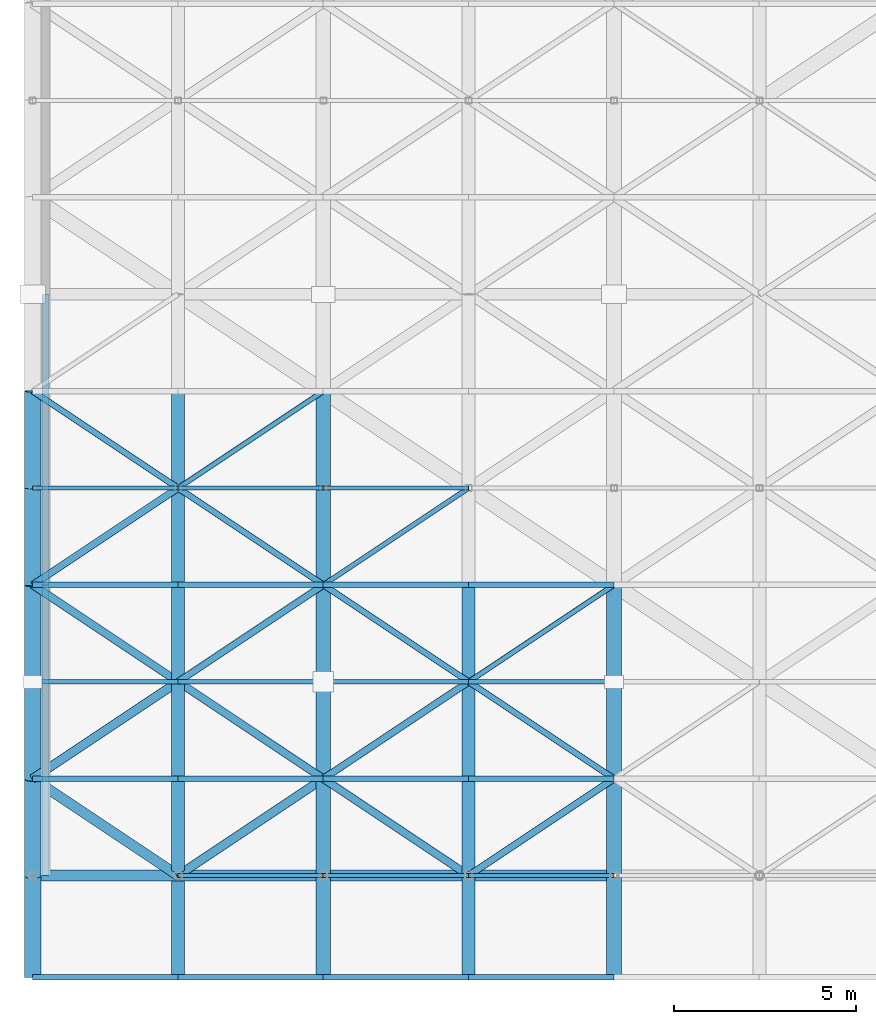
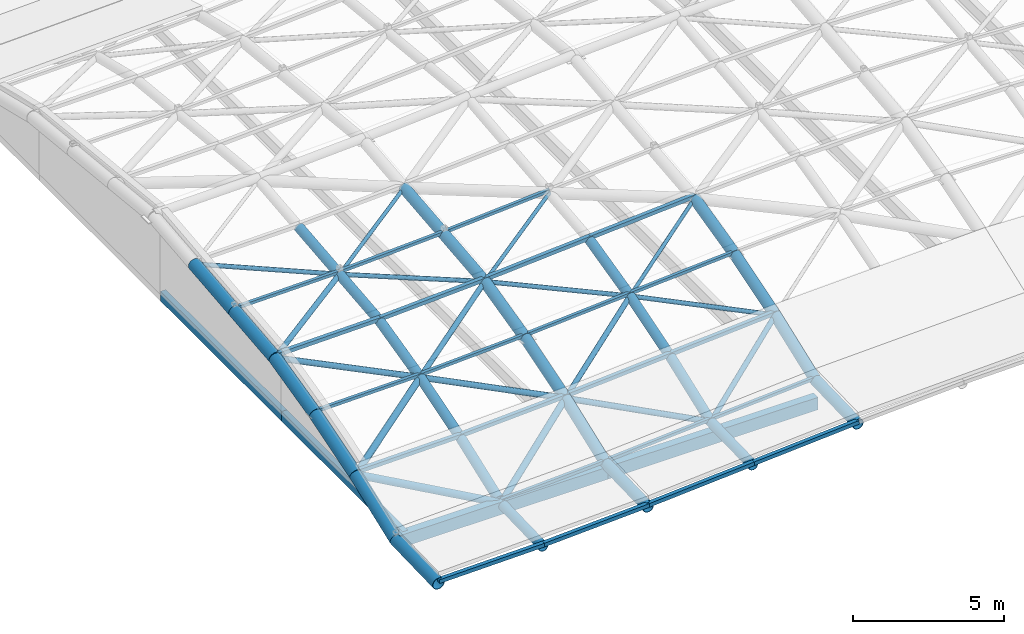
# One storey, part 1 of 20: 39 members, 30 beams.
"""IFC4 building model written with IfcOpenShell, lengths in metres."""

from ifc_helpers import new_model, si_unit, direction, frame, origin, origin_2d, place, context, subcontext, project, spatial, hollow_rectangle, hollow_circle, extrude, material, material_profile, profile_set, type_object, element, save


model = new_model("IFC4")

# Units and contexts
model_context = context("Model", 3, precision=1e-05, world=origin(), true_north=direction((0.0, 1.0)))
body_context = subcontext(model_context, "Body", "Model", "MODEL_VIEW")
ifc_project = project(units=[si_unit("LENGTHUNIT", "METRE"), si_unit("AREAUNIT", "SQUARE_METRE"), si_unit("VOLUMEUNIT", "CUBIC_METRE"), si_unit("PLANEANGLEUNIT", "RADIAN"), si_unit("MASSUNIT", "GRAM", prefix="KILO")], contexts=[model_context])

# Site, building, storey
site_placement = place(None, origin())
site = spatial("IfcSite", under=ifc_project, at=site_placement, CompositionType="ELEMENT")
building_placement = place(site_placement, origin())
building = spatial("IfcBuilding", under=site, at=building_placement, Name="Tenunan Teduh Sports Hall", CompositionType="ELEMENT")
storey_placement = place(building_placement, frame((0.0, 0.0, 23.39990234375)))
storey = spatial("IfcBuildingStorey", under=building, at=storey_placement, Name="RF", CompositionType="ELEMENT", Elevation=23.39990234375)

# Beams
ifc_material_1 = material(Name="Steel S355", Category="steel")
ifc_material_profile_1 = material_profile(ifc_material_1, hollow_circle(Radius=0.177734375, WallThickness=0.012451171875, at=origin_2d()), Name="CHS 355.6x12.5")
ifc_profile_set_1 = profile_set([ifc_material_profile_1], Name="Steel S355")
beam_type_1 = type_object("IfcBeamType", Name="GSB-CHS356", PredefinedType="BEAM", material=ifc_profile_set_1)
beam_1_placement = place(storey_placement, frame((10.0, 11.199951171875, -0.3837890625), z_axis=(0.0, 0.999608075745, 0.027994551361), x_axis=(-1.0, 0.0, 0.0)))
element("IfcBeam", 1, at=beam_1_placement, inside=storey, type_object=beam_type_1, Name="Gridshell Vault Arch BM-GR-04-RF-0281", PredefinedType="BEAM", context=body_context, shape_type="SweptSolid", body=[
    extrude(hollow_circle(Radius=0.177734375, WallThickness=0.012451171875, at=origin_2d()), origin(), (0.0, 0.0, 1.0), 2.651123046875),
])
beam_2_placement = place(storey_placement, frame((10.0, 14.14990234375, -0.2431640625), z_axis=(0.0, 0.936146189375, 0.351611023888), x_axis=(-1.0, 0.0, 0.0)))
element("IfcBeam", 2, at=beam_2_placement, inside=storey, type_object=beam_type_1, Name="Gridshell Vault Arch BM-GR-04-RF-0282", PredefinedType="BEAM", context=body_context, shape_type="SweptSolid", body=[
    extrude(hollow_circle(Radius=0.177734375, WallThickness=0.012451171875, at=origin_2d()), origin(), (0.0, 0.0, 1.0), 2.6884765625),
])
beam_3_placement = place(storey_placement, frame((10.0, 16.666748046875, 0.7021484375), z_axis=(0.0, 0.955399948598, 0.295314981365), x_axis=(-1.0, 0.0, 0.0)))
element("IfcBeam", 3, at=beam_3_placement, inside=storey, type_object=beam_type_1, Name="Gridshell Vault Arch BM-GR-04-RF-0283", PredefinedType="BEAM", context=body_context, shape_type="SweptSolid", body=[
    extrude(hollow_circle(Radius=0.177734375, WallThickness=0.012451171875, at=origin_2d()), origin(), (0.0, 0.0, 1.0), 2.791015625),
])
beam_4_placement = place(storey_placement, frame((10.0, 19.333251953125, 1.5263671875), z_axis=(0.0, 0.972012875749, 0.234927583263), x_axis=(-1.0, 0.0, 0.0)))
element("IfcBeam", 4, at=beam_4_placement, inside=storey, type_object=beam_type_1, Name="Gridshell Vault Arch BM-GR-04-RF-0284", PredefinedType="BEAM", context=body_context, shape_type="SweptSolid", body=[
    extrude(hollow_circle(Radius=0.177734375, WallThickness=0.012451171875, at=origin_2d()), origin(), (0.0, 0.0, 1.0), 2.74365234375),
])
beam_5_placement = place(storey_placement, frame((10.0, 22.0, 2.1708984375), z_axis=(0.0, 0.994784282387, 0.102001134878), x_axis=(-1.0, 0.0, 0.0)))
element("IfcBeam", 5, at=beam_5_placement, inside=storey, type_object=beam_type_1, Name="Gridshell Vault Arch BM-GR-04-RF-0285", PredefinedType="BEAM", context=body_context, shape_type="SweptSolid", body=[
    extrude(hollow_circle(Radius=0.177734375, WallThickness=0.012451171875, at=origin_2d()), origin(), (0.0, 0.0, 1.0), 2.6806640625),
])
beam_6_placement = place(storey_placement, frame((10.0, 24.666748046875, 2.4443359375), z_axis=(0.0, 0.994783334719, 0.102010376752), x_axis=(-1.0, 0.0, 0.0)))
element("IfcBeam", 6, at=beam_6_placement, inside=storey, type_object=beam_type_1, Name="Gridshell Vault Arch BM-GR-04-RF-0286", PredefinedType="BEAM", context=body_context, shape_type="SweptSolid", body=[
    extrude(hollow_circle(Radius=0.177734375, WallThickness=0.012451171875, at=origin_2d()), origin(), (0.0, 0.0, 1.0), 2.680419921875),
])
beam_7_placement = place(storey_placement, frame((18.0, 11.199951171875, 0.0927734375), z_axis=(0.0, 0.999610985869, 0.027890445155), x_axis=(-1.0, 0.0, 0.0)))
element("IfcBeam", 7, at=beam_7_placement, inside=storey, type_object=beam_type_1, Name="Gridshell Vault Arch BM-GR-04-RF-0309", PredefinedType="BEAM", context=body_context, shape_type="SweptSolid", body=[
    extrude(hollow_circle(Radius=0.177734375, WallThickness=0.012451171875, at=origin_2d()), origin(), (0.0, 0.0, 1.0), 2.801025390625),
])
beam_8_placement = place(storey_placement, frame((18.0, 14.0, 0.1708984375), z_axis=(0.0, 0.935428675248, 0.353515478479), x_axis=(-1.0, 0.0, 0.0)))
element("IfcBeam", 8, at=beam_8_placement, inside=storey, type_object=beam_type_1, Name="Gridshell Vault Arch BM-GR-04-RF-0310", PredefinedType="BEAM", context=body_context, shape_type="SweptSolid", body=[
    extrude(hollow_circle(Radius=0.177734375, WallThickness=0.012451171875, at=origin_2d()), origin(), (0.0, 0.0, 1.0), 2.850830078125),
])
beam_9_placement = place(storey_placement, frame((18.0, 16.666748046875, 1.1787109375), z_axis=(0.0, 0.955399948598, 0.295314981365), x_axis=(-1.0, 0.0, 0.0)))
element("IfcBeam", 9, at=beam_9_placement, inside=storey, type_object=beam_type_1, Name="Gridshell Vault Arch BM-GR-04-RF-0311", PredefinedType="BEAM", context=body_context, shape_type="SweptSolid", body=[
    extrude(hollow_circle(Radius=0.177734375, WallThickness=0.012451171875, at=origin_2d()), origin(), (0.0, 0.0, 1.0), 2.791015625),
])
beam_10_placement = place(storey_placement, frame((18.0, 19.333251953125, 2.0029296875), z_axis=(0.0, 0.972012875749, 0.234927583263), x_axis=(-1.0, 0.0, 0.0)))
element("IfcBeam", 10, at=beam_10_placement, inside=storey, type_object=beam_type_1, Name="Gridshell Vault Arch BM-GR-04-RF-0312", PredefinedType="BEAM", context=body_context, shape_type="SweptSolid", body=[
    extrude(hollow_circle(Radius=0.177734375, WallThickness=0.012451171875, at=origin_2d()), origin(), (0.0, 0.0, 1.0), 2.74365234375),
])
ifc_material_2 = material(Name="Steel S355", Category="steel")
ifc_material_profile_2 = material_profile(ifc_material_2, hollow_circle(Radius=0.203125, WallThickness=0.01611328125, at=origin_2d()), Name="CHS 406.4x16.0")
ifc_profile_set_2 = profile_set([ifc_material_profile_2], Name="Steel S355")
beam_type_2 = type_object("IfcBeamType", Name="GSB-CHS406", PredefinedType="BEAM", material=ifc_profile_set_2)
beam_11_placement = place(storey_placement, frame((14.0, 11.199951171875, -0.1845703125), z_axis=(0.0, 0.999610985869, 0.027890445155), x_axis=(-1.0, 0.0, 0.0)))
element("IfcBeam", 11, at=beam_11_placement, inside=storey, type_object=beam_type_2, Name="Gridshell Vault Arch BM-GA-02-RF-0295", PredefinedType="BEAM", context=body_context, shape_type="SweptSolid", body=[
    extrude(hollow_circle(Radius=0.203125, WallThickness=0.01611328125, at=origin_2d()), origin(), (0.0, 0.0, 1.0), 2.801025390625),
])
beam_12_placement = place(storey_placement, frame((14.0, 14.0, -0.1064453125), z_axis=(0.0, 0.935428675248, 0.353515478479), x_axis=(-1.0, 0.0, 0.0)))
element("IfcBeam", 12, at=beam_12_placement, inside=storey, type_object=beam_type_2, Name="Gridshell Vault Arch BM-GA-02-RF-0296", PredefinedType="BEAM", context=body_context, shape_type="SweptSolid", body=[
    extrude(hollow_circle(Radius=0.203125, WallThickness=0.01611328125, at=origin_2d()), origin(), (0.0, 0.0, 1.0), 2.850830078125),
])
beam_13_placement = place(storey_placement, frame((14.0, 16.666748046875, 0.9013671875), z_axis=(0.0, 0.955399948598, 0.295314981365), x_axis=(-1.0, 0.0, 0.0)))
element("IfcBeam", 13, at=beam_13_placement, inside=storey, type_object=beam_type_2, Name="Gridshell Vault Arch BM-GA-02-RF-0297", PredefinedType="BEAM", context=body_context, shape_type="SweptSolid", body=[
    extrude(hollow_circle(Radius=0.203125, WallThickness=0.01611328125, at=origin_2d()), origin(), (0.0, 0.0, 1.0), 2.791015625),
])
beam_14_placement = place(storey_placement, frame((14.0, 19.333251953125, 1.7255859375), z_axis=(0.0, 0.972012875749, 0.234927583263), x_axis=(-1.0, 0.0, 0.0)))
element("IfcBeam", 14, at=beam_14_placement, inside=storey, type_object=beam_type_2, Name="Gridshell Vault Arch BM-GA-02-RF-0298", PredefinedType="BEAM", context=body_context, shape_type="SweptSolid", body=[
    extrude(hollow_circle(Radius=0.203125, WallThickness=0.01611328125, at=origin_2d()), origin(), (0.0, 0.0, 1.0), 2.74365234375),
])
beam_15_placement = place(storey_placement, frame((14.0, 22.0, 2.3701171875), z_axis=(0.0, 0.994784282387, 0.102001134878), x_axis=(-1.0, 0.0, 0.0)))
element("IfcBeam", 15, at=beam_15_placement, inside=storey, type_object=beam_type_2, Name="Gridshell Vault Arch BM-GA-02-RF-0299", PredefinedType="BEAM", context=body_context, shape_type="SweptSolid", body=[
    extrude(hollow_circle(Radius=0.203125, WallThickness=0.01611328125, at=origin_2d()), origin(), (0.0, 0.0, 1.0), 2.6806640625),
])
beam_16_placement = place(storey_placement, frame((14.0, 24.666748046875, 2.6435546875), z_axis=(0.0, 0.994783334719, 0.102010376752), x_axis=(-1.0, 0.0, 0.0)))
element("IfcBeam", 16, at=beam_16_placement, inside=storey, type_object=beam_type_2, Name="Gridshell Vault Arch BM-GA-02-RF-0300", PredefinedType="BEAM", context=body_context, shape_type="SweptSolid", body=[
    extrude(hollow_circle(Radius=0.203125, WallThickness=0.01611328125, at=origin_2d()), origin(), (0.0, 0.0, 1.0), 2.680419921875),
])
beam_17_placement = place(storey_placement, frame((22.0, 11.199951171875, 0.3662109375), z_axis=(0.0, 0.999610985869, 0.027890445155), x_axis=(-1.0, 0.0, 0.0)))
element("IfcBeam", 17, at=beam_17_placement, inside=storey, type_object=beam_type_2, Name="Gridshell Vault Arch BM-GA-02-RF-0323", PredefinedType="BEAM", context=body_context, shape_type="SweptSolid", body=[
    extrude(hollow_circle(Radius=0.203125, WallThickness=0.01611328125, at=origin_2d()), origin(), (0.0, 0.0, 1.0), 2.801025390625),
])
beam_18_placement = place(storey_placement, frame((22.0, 14.0, 0.4443359375), z_axis=(0.0, 0.935428675248, 0.353515478479), x_axis=(-1.0, 0.0, 0.0)))
element("IfcBeam", 18, at=beam_18_placement, inside=storey, type_object=beam_type_2, Name="Gridshell Vault Arch BM-GA-02-RF-0324", PredefinedType="BEAM", context=body_context, shape_type="SweptSolid", body=[
    extrude(hollow_circle(Radius=0.203125, WallThickness=0.01611328125, at=origin_2d()), origin(), (0.0, 0.0, 1.0), 2.850830078125),
])
beam_19_placement = place(storey_placement, frame((22.0, 16.666748046875, 1.4521484375), z_axis=(0.0, 0.955399948598, 0.295314981365), x_axis=(-1.0, 0.0, 0.0)))
element("IfcBeam", 19, at=beam_19_placement, inside=storey, type_object=beam_type_2, Name="Gridshell Vault Arch BM-GA-02-RF-0325", PredefinedType="BEAM", context=body_context, shape_type="SweptSolid", body=[
    extrude(hollow_circle(Radius=0.203125, WallThickness=0.01611328125, at=origin_2d()), origin(), (0.0, 0.0, 1.0), 2.791015625),
])
beam_20_placement = place(storey_placement, frame((22.0, 19.333251953125, 2.2763671875), z_axis=(0.0, 0.972012875749, 0.234927583263), x_axis=(-1.0, 0.0, 0.0)))
element("IfcBeam", 20, at=beam_20_placement, inside=storey, type_object=beam_type_2, Name="Gridshell Vault Arch BM-GA-02-RF-0326", PredefinedType="BEAM", context=body_context, shape_type="SweptSolid", body=[
    extrude(hollow_circle(Radius=0.203125, WallThickness=0.01611328125, at=origin_2d()), origin(), (0.0, 0.0, 1.0), 2.74365234375),
])
ifc_material_3 = material(Name="Steel S355", Category="steel")
ifc_material_profile_3 = material_profile(ifc_material_3, hollow_circle(Radius=0.228515625, WallThickness=0.01611328125, at=origin_2d()), Name="CHS 457.0x16.0")
ifc_profile_set_3 = profile_set([ifc_material_profile_3], Name="Steel S355")
beam_type_3 = type_object("IfcBeamType", Name="GSB-CHS457", PredefinedType="BEAM", material=ifc_profile_set_3)
beam_21_placement = place(storey_placement, frame((6.0, 11.199951171875, -0.4580078125), z_axis=(0.0, 0.999610985869, 0.027890445155), x_axis=(-1.0, 0.0, 0.0)))
element("IfcBeam", 21, at=beam_21_placement, inside=storey, type_object=beam_type_3, Name="Gridshell Vault Arch BM-GA-01-RF-0267", PredefinedType="BEAM", context=body_context, shape_type="SweptSolid", body=[
    extrude(hollow_circle(Radius=0.228515625, WallThickness=0.01611328125, at=origin_2d()), origin(), (0.0, 0.0, 1.0), 2.801025390625),
])
beam_22_placement = place(storey_placement, frame((6.0, 14.0, -0.3798828125), z_axis=(0.0, 0.935428675248, 0.353515478479), x_axis=(-1.0, 0.0, 0.0)))
element("IfcBeam", 22, at=beam_22_placement, inside=storey, type_object=beam_type_3, Name="Gridshell Vault Arch BM-GA-01-RF-0268", PredefinedType="BEAM", context=body_context, shape_type="SweptSolid", body=[
    extrude(hollow_circle(Radius=0.228515625, WallThickness=0.01611328125, at=origin_2d()), origin(), (0.0, 0.0, 1.0), 2.850830078125),
])
beam_23_placement = place(storey_placement, frame((6.0, 16.666748046875, 0.6279296875), z_axis=(0.0, 0.955399948598, 0.295314981365), x_axis=(-1.0, 0.0, 0.0)))
element("IfcBeam", 23, at=beam_23_placement, inside=storey, type_object=beam_type_3, Name="Gridshell Vault Arch BM-GA-01-RF-0269", PredefinedType="BEAM", context=body_context, shape_type="SweptSolid", body=[
    extrude(hollow_circle(Radius=0.228515625, WallThickness=0.01611328125, at=origin_2d()), origin(), (0.0, 0.0, 1.0), 2.791015625),
])
beam_24_placement = place(storey_placement, frame((6.0, 19.333251953125, 1.4521484375), z_axis=(0.0, 0.972012875749, 0.234927583263), x_axis=(-1.0, 0.0, 0.0)))
element("IfcBeam", 24, at=beam_24_placement, inside=storey, type_object=beam_type_3, Name="Gridshell Vault Arch BM-GA-01-RF-0270", PredefinedType="BEAM", context=body_context, shape_type="SweptSolid", body=[
    extrude(hollow_circle(Radius=0.228515625, WallThickness=0.01611328125, at=origin_2d()), origin(), (0.0, 0.0, 1.0), 2.74365234375),
])
beam_25_placement = place(storey_placement, frame((6.0, 22.0, 2.0966796875), z_axis=(0.0, 0.994784282387, 0.102001134878), x_axis=(-1.0, 0.0, 0.0)))
element("IfcBeam", 25, at=beam_25_placement, inside=storey, type_object=beam_type_3, Name="Gridshell Vault Arch BM-GA-01-RF-0271", PredefinedType="BEAM", context=body_context, shape_type="SweptSolid", body=[
    extrude(hollow_circle(Radius=0.228515625, WallThickness=0.01611328125, at=origin_2d()), origin(), (0.0, 0.0, 1.0), 2.6806640625),
])
beam_26_placement = place(storey_placement, frame((6.0, 24.666748046875, 2.3701171875), z_axis=(0.0, 0.994783334719, 0.102010376752), x_axis=(-1.0, 0.0, 0.0)))
element("IfcBeam", 26, at=beam_26_placement, inside=storey, type_object=beam_type_3, Name="Gridshell Vault Arch BM-GA-01-RF-0272", PredefinedType="BEAM", context=body_context, shape_type="SweptSolid", body=[
    extrude(hollow_circle(Radius=0.228515625, WallThickness=0.01611328125, at=origin_2d()), origin(), (0.0, 0.0, 1.0), 2.680419921875),
])

# Members
ifc_material_4 = material(Name="Steel S355", Category="steel")
ifc_material_profile_4 = material_profile(ifc_material_4, hollow_circle(Radius=0.06982421875, WallThickness=0.00634765625, at=origin_2d()), Name="CHS 139.7x6.3")
ifc_profile_set_4 = profile_set([ifc_material_profile_4], Name="Steel S355")
member_type_1 = type_object("IfcMemberType", Name="MEM-BR-CHS140", PredefinedType="BRACE", material=ifc_profile_set_4)
member_1_placement = place(storey_placement, frame((10.0, 24.666748046875, 2.4443359375), z_axis=(0.82807310517, 0.552015042399, 0.097848482154), x_axis=(-0.554676756648, 0.832065920246, 0.0)))
element("IfcMember", 27, at=member_1_placement, inside=storey, type_object=member_type_1, Name="MEM-GD-05-RF-0556", PredefinedType="BRACE", context=body_context, shape_type="SweptSolid", body=[
    extrude(hollow_circle(Radius=0.06982421875, WallThickness=0.00634765625, at=origin_2d()), origin(), (0.0, 0.0, 1.0), 4.83056640625),
])
member_2_placement = place(storey_placement, frame((14.0, 22.0, 2.3701171875), z_axis=(0.826635001077, 0.55110681865, 0.113823764797), x_axis=(-0.554711915519, 0.832042481356, 0.0)))
element("IfcMember", 28, at=member_2_placement, inside=storey, type_object=member_type_1, Name="MEM-GD-05-RF-0582", PredefinedType="BRACE", context=body_context, shape_type="SweptSolid", body=[
    extrude(hollow_circle(Radius=0.06982421875, WallThickness=0.00634765625, at=origin_2d()), origin(), (0.0, 0.0, 1.0), 4.8388671875),
])
member_3_placement = place(storey_placement, frame((18.0, 19.333251953125, 2.0029296875), z_axis=(0.817276570763, 0.54486767471, 0.187558588017), x_axis=(-0.554711915519, 0.832042481356, 0.0)))
element("IfcMember", 29, at=member_3_placement, inside=storey, type_object=member_type_1, Name="MEM-GD-05-RF-0608", PredefinedType="BRACE", context=body_context, shape_type="SweptSolid", body=[
    extrude(hollow_circle(Radius=0.06982421875, WallThickness=0.00634765625, at=origin_2d()), origin(), (0.0, 0.0, 1.0), 4.894287109375),
])
ifc_material_5 = material(Name="Steel S355", Category="steel")
ifc_material_profile_5 = material_profile(ifc_material_5, hollow_circle(Radius=0.084228515625, WallThickness=0.008056640625, at=origin_2d()), Name="CHS 168.3x8.0")
ifc_profile_set_5 = profile_set([ifc_material_profile_5], Name="Steel S355")
member_type_2 = type_object("IfcMemberType", Name="MEM-BR-CHS168", PredefinedType="BRACE", material=ifc_profile_set_5)
member_4_placement = place(storey_placement, frame((6.0, 27.333251953125, 2.6435546875), z_axis=(0.831352369747, -0.55420108535, -0.041405244978), x_axis=(0.554676756648, 0.832065920246, 0.0)))
element("IfcMember", 30, at=member_4_placement, inside=storey, type_object=member_type_2, Name="MEM-GD-04-RF-0529", PredefinedType="BRACE", context=body_context, shape_type="SweptSolid", body=[
    extrude(hollow_circle(Radius=0.084228515625, WallThickness=0.008056640625, at=origin_2d()), origin(), (0.0, 0.0, 1.0), 4.8115234375),
])
member_5_placement = place(storey_placement, frame((10.0, 24.666748046875, 2.4443359375), z_axis=(0.831943344266, -0.554645822108, -0.015436448771), x_axis=(0.554711915519, 0.832042481356, 0.0)))
element("IfcMember", 31, at=member_5_placement, inside=storey, type_object=member_type_2, Name="MEM-GD-04-RF-0555", PredefinedType="BRACE", context=body_context, shape_type="SweptSolid", body=[
    extrude(hollow_circle(Radius=0.084228515625, WallThickness=0.008056640625, at=origin_2d()), origin(), (0.0, 0.0, 1.0), 4.80810546875),
])
member_6_placement = place(storey_placement, frame((14.0, 22.0, 2.3701171875), z_axis=(0.829626090454, -0.553100939088, -0.076157082522), x_axis=(0.554711915519, 0.832042481356, 0.0)))
element("IfcMember", 32, at=member_6_placement, inside=storey, type_object=member_type_2, Name="MEM-GD-04-RF-0581", PredefinedType="BRACE", context=body_context, shape_type="SweptSolid", body=[
    extrude(hollow_circle(Radius=0.084228515625, WallThickness=0.008056640625, at=origin_2d()), origin(), (0.0, 0.0, 1.0), 4.821533203125),
])
member_7_placement = place(storey_placement, frame((18.0, 19.333251953125, 2.0029296875), z_axis=(0.826657985926, -0.551071687151, -0.113826929703), x_axis=(0.554676756648, 0.832065920246, 0.0)))
element("IfcMember", 33, at=member_7_placement, inside=storey, type_object=member_type_2, Name="MEM-GD-04-RF-0607", PredefinedType="BRACE", context=body_context, shape_type="SweptSolid", body=[
    extrude(hollow_circle(Radius=0.084228515625, WallThickness=0.008056640625, at=origin_2d()), origin(), (0.0, 0.0, 1.0), 4.8388671875),
])
ifc_material_6 = material(Name="Steel S355", Category="steel")
ifc_material_profile_6 = material_profile(ifc_material_6, hollow_circle(Radius=0.096923828125, WallThickness=0.008056640625, at=origin_2d()), Name="CHS 193.7x8.0")
ifc_profile_set_6 = profile_set([ifc_material_profile_6], Name="Steel S355")
member_type_3 = type_object("IfcMemberType", Name="MEM-BR-CHS194", PredefinedType="BRACE", material=ifc_profile_set_6)
member_8_placement = place(storey_placement, frame((6.0, 22.0, 2.0966796875), z_axis=(0.829875339825, 0.553267110407, 0.072127837153), x_axis=(-0.554711915519, 0.832042481356, 0.0)))
element("IfcMember", 34, at=member_8_placement, inside=storey, type_object=member_type_3, Name="MEM-GD-03-RF-0528", PredefinedType="BRACE", context=body_context, shape_type="SweptSolid", body=[
    extrude(hollow_circle(Radius=0.096923828125, WallThickness=0.008056640625, at=origin_2d()), origin(), (0.0, 0.0, 1.0), 4.820068359375),
])
member_9_placement = place(storey_placement, frame((10.0, 19.333251953125, 1.5263671875), z_axis=(0.819516270357, 0.546360853339, 0.172866713278), x_axis=(-0.554711915519, 0.832042481356, 0.0)))
element("IfcMember", 35, at=member_9_placement, inside=storey, type_object=member_type_3, Name="MEM-GD-03-RF-0554", PredefinedType="BRACE", context=body_context, shape_type="SweptSolid", body=[
    extrude(hollow_circle(Radius=0.096923828125, WallThickness=0.008056640625, at=origin_2d()), origin(), (0.0, 0.0, 1.0), 4.880859375),
])
member_10_placement = place(storey_placement, frame((14.0, 16.666748046875, 0.9013671875), z_axis=(0.811045695554, 0.540664128836, 0.223354381002), x_axis=(-0.554676756648, 0.832065920246, 0.0)))
element("IfcMember", 36, at=member_10_placement, inside=storey, type_object=member_type_3, Name="MEM-GD-03-RF-0580", PredefinedType="BRACE", context=body_context, shape_type="SweptSolid", body=[
    extrude(hollow_circle(Radius=0.096923828125, WallThickness=0.008056640625, at=origin_2d()), origin(), (0.0, 0.0, 1.0), 4.931884765625),
])
member_11_placement = place(storey_placement, frame((18.0, 14.0, 0.1708984375), z_axis=(0.803979144991, 0.536002453658, 0.25752456988), x_axis=(-0.554711915519, 0.832042481356, 0.0)))
element("IfcMember", 37, at=member_11_placement, inside=storey, type_object=member_type_3, Name="MEM-GD-03-RF-0606", PredefinedType="BRACE", context=body_context, shape_type="SweptSolid", body=[
    extrude(hollow_circle(Radius=0.096923828125, WallThickness=0.008056640625, at=origin_2d()), origin(), (0.0, 0.0, 1.0), 4.975341796875),
])
ifc_material_7 = material(Name="Steel S355", Category="steel")
ifc_material_profile_7 = material_profile(ifc_material_7, hollow_circle(Radius=0.109619140625, WallThickness=0.010009765625, at=origin_2d()), Name="CHS 219.1x10.0")
ifc_profile_set_7 = profile_set([ifc_material_profile_7], Name="Steel S355")
member_type_4 = type_object("IfcMemberType", Name="MEM-BR-CHS219", PredefinedType="BRACE", material=ifc_profile_set_7)
member_12_placement = place(storey_placement, frame((6.0, 22.0, 2.0966796875), z_axis=(0.826248759611, -0.550849316482, -0.117804998929), x_axis=(0.554711915519, 0.832042481356, 0.0)))
element("IfcMember", 38, at=member_12_placement, inside=storey, type_object=member_type_4, Name="MEM-GD-02-RF-0527", PredefinedType="BRACE", context=body_context, shape_type="SweptSolid", body=[
    extrude(hollow_circle(Radius=0.109619140625, WallThickness=0.010009765625, at=origin_2d()), origin(), (0.0, 0.0, 1.0), 4.841064453125),
])
member_13_placement = place(storey_placement, frame((10.0, 19.333251953125, 1.5263671875), z_axis=(0.825121757289, -0.550047597235, -0.128925274576), x_axis=(0.554676756648, 0.832065920246, 0.0)))
element("IfcMember", 39, at=member_13_placement, inside=storey, type_object=member_type_4, Name="MEM-GD-02-RF-0553", PredefinedType="BRACE", context=body_context, shape_type="SweptSolid", body=[
    extrude(hollow_circle(Radius=0.109619140625, WallThickness=0.010009765625, at=origin_2d()), origin(), (0.0, 0.0, 1.0), 4.84765625),
])
member_14_placement = place(storey_placement, frame((14.0, 16.666748046875, 0.9013671875), z_axis=(0.822600824873, -0.548417285772, -0.150221049073), x_axis=(0.554711915519, 0.832042481356, 0.0)))
element("IfcMember", 40, at=member_14_placement, inside=storey, type_object=member_type_4, Name="MEM-GD-02-RF-0579", PredefinedType="BRACE", context=body_context, shape_type="SweptSolid", body=[
    extrude(hollow_circle(Radius=0.109619140625, WallThickness=0.010009765625, at=origin_2d()), origin(), (0.0, 0.0, 1.0), 4.862548828125),
])
ifc_material_8 = material(Name="Steel S355", Category="steel")
ifc_material_profile_8 = material_profile(ifc_material_8, hollow_circle(Radius=0.122314453125, WallThickness=0.010009765625, at=origin_2d()), Name="CHS 244.5x10.0")
ifc_profile_set_8 = profile_set([ifc_material_profile_8], Name="Steel S355")
member_type_5 = type_object("IfcMemberType", Name="MEM-BR-CHS245", PredefinedType="BRACE", material=ifc_profile_set_8)
member_15_placement = place(storey_placement, frame((6.0, 16.666748046875, 0.6279296875), z_axis=(0.817904708039, 0.545236524731, 0.183709065282), x_axis=(-0.554676756648, 0.832065920246, 0.0)))
element("IfcMember", 41, at=member_15_placement, inside=storey, type_object=member_type_5, Name="MEM-GD-01-RF-0526", PredefinedType="BRACE", context=body_context, shape_type="SweptSolid", body=[
    extrude(hollow_circle(Radius=0.122314453125, WallThickness=0.010009765625, at=origin_2d()), origin(), (0.0, 0.0, 1.0), 4.890625),
])
member_16_placement = place(storey_placement, frame((10.0, 14.0, -0.3056640625), z_axis=(0.806995177005, 0.538013203029, 0.243517099311), x_axis=(-0.554711915519, 0.832042481356, 0.0)))
element("IfcMember", 42, at=member_16_placement, inside=storey, type_object=member_type_5, Name="MEM-GD-01-RF-0552", PredefinedType="BRACE", context=body_context, shape_type="SweptSolid", body=[
    extrude(hollow_circle(Radius=0.122314453125, WallThickness=0.010009765625, at=origin_2d()), origin(), (0.0, 0.0, 1.0), 4.95654296875),
])
ifc_material_9 = material(Name="Steel S355", Category="steel")
ifc_material_profile_9 = material_profile(ifc_material_9, hollow_circle(Radius=0.136474609375, WallThickness=0.010009765625, at=origin_2d()), Name="CHS 273.0x10.0")
ifc_profile_set_9 = profile_set([ifc_material_profile_9], Name="Steel S355")
member_type_6 = type_object("IfcMemberType", Name="MEM-CH-CHS273", PredefinedType="CHORD", material=ifc_profile_set_9)
member_17_placement = place(storey_placement, frame((6.0, 16.666748046875, 0.6279296875), z_axis=(0.816783485072, -0.544538940884, -0.190635989192), x_axis=(0.554711915519, 0.832042481356, 0.0)))
element("IfcMember", 43, at=member_17_placement, inside=storey, type_object=member_type_6, Name="MEM-GC-03-RF-0525", PredefinedType="CHORD", context=body_context, shape_type="SweptSolid", body=[
    extrude(hollow_circle(Radius=0.136474609375, WallThickness=0.010009765625, at=origin_2d()), origin(), (0.0, 0.0, 1.0), 4.897216796875),
])
ifc_material_10 = material(Name="Steel S355", Category="steel")
ifc_material_profile_10 = material_profile(ifc_material_10, hollow_rectangle(XDim=0.1201171875, YDim=0.1201171875, WallThickness=0.00634765625, at=origin_2d()), Name="SHS 120x120x6.3")
ifc_profile_set_10 = profile_set([ifc_material_profile_10], Name="Steel S355")
member_type_7 = type_object("IfcMemberType", Name="MEM-PR-SHS120", PredefinedType="PURLIN", material=ifc_profile_set_10)
for number, where, z_axis, x_axis, name in (
    (44, (6.0, 19.333251953125, 1.572021484375), (0.99982790622, 0.0, 0.018551494354), (0.0, 1.0, 0.0), "MEM-PR-02-RF-0514"),
    (45, (6.0, 24.666748046875, 2.489990234375), (0.99982790622, 0.0, 0.018551494354), (0.0, 1.0, 0.0), "MEM-PR-02-RF-0516"),
):
    element("IfcMember", number, at=place(storey_placement, frame(where, z_axis=z_axis, x_axis=x_axis)), inside=storey, type_object=member_type_7, Name=name, PredefinedType="PURLIN", context=body_context, shape_type="SweptSolid", body=[
        extrude(hollow_rectangle(XDim=0.1201171875, YDim=0.1201171875, WallThickness=0.00634765625, at=origin_2d()), origin(), (0.0, 0.0, 1.0), 4.000732421875),
    ])
for number, where, z_axis, x_axis, name in (
    (46, (10.0, 14.0, -0.185791015625), (0.998762049135, 0.0, 0.049743031744), (0.0, 1.0, 0.0), "MEM-PR-02-RF-0538"),
    (47, (10.0, 19.333251953125, 1.646240234375), (0.998762049135, 0.0, 0.049743031744), (0.0, 1.0, 0.0), "MEM-PR-02-RF-0540"),
    (48, (10.0, 24.666748046875, 2.564208984375), (0.998762049135, 0.0, 0.049743031744), (0.0, 1.0, 0.0), "MEM-PR-02-RF-0542"),
):
    element("IfcMember", number, at=place(storey_placement, frame(where, z_axis=z_axis, x_axis=x_axis)), inside=storey, type_object=member_type_7, Name=name, PredefinedType="PURLIN", context=body_context, shape_type="SweptSolid", body=[
        extrude(hollow_rectangle(XDim=0.1201171875, YDim=0.1201171875, WallThickness=0.00634765625, at=origin_2d()), origin(), (0.0, 0.0, 1.0), 4.0048828125),
    ])
for number, where, z_axis, x_axis, name in (
    (49, (14.0, 14.0, 0.013427734375), (0.99760489623, 0.0, 0.069169870735), (0.0, 1.0, 0.0), "MEM-PR-02-RF-0565"),
    (50, (14.0, 19.333251953125, 1.845458984375), (0.99760489623, 0.0, 0.069169870735), (0.0, 1.0, 0.0), "MEM-PR-02-RF-0567"),
    (51, (14.0, 24.666748046875, 2.763427734375), (0.99760489623, 0.0, 0.069169870735), (0.0, 1.0, 0.0), "MEM-PR-02-RF-0569"),
):
    element("IfcMember", number, at=place(storey_placement, frame(where, z_axis=z_axis, x_axis=x_axis)), inside=storey, type_object=member_type_7, Name=name, PredefinedType="PURLIN", context=body_context, shape_type="SweptSolid", body=[
        extrude(hollow_rectangle(XDim=0.1201171875, YDim=0.1201171875, WallThickness=0.00634765625, at=origin_2d()), origin(), (0.0, 0.0, 1.0), 4.009521484375),
    ])
for number, where, z_axis, x_axis, name in (
    (52, (18.0, 14.0, 0.290771484375), (0.997671655029, 0.0, 0.068200210793), (0.0, 1.0, 0.0), "MEM-PR-02-RF-0592"),
    (53, (18.0, 19.333251953125, 2.122802734375), (0.997671655029, 0.0, 0.068200210793), (0.0, 1.0, 0.0), "MEM-PR-02-RF-0594"),
):
    element("IfcMember", number, at=place(storey_placement, frame(where, z_axis=z_axis, x_axis=x_axis)), inside=storey, type_object=member_type_7, Name=name, PredefinedType="PURLIN", context=body_context, shape_type="SweptSolid", body=[
        extrude(hollow_rectangle(XDim=0.1201171875, YDim=0.1201171875, WallThickness=0.00634765625, at=origin_2d()), origin(), (0.0, 0.0, 1.0), 4.00927734375),
    ])
ifc_material_11 = material(Name="Steel S355", Category="steel")
ifc_material_profile_11 = material_profile(ifc_material_11, hollow_rectangle(XDim=0.14990234375, YDim=0.14990234375, WallThickness=0.008056640625, at=origin_2d()), Name="SHS 150x150x8.0")
ifc_profile_set_11 = profile_set([ifc_material_profile_11], Name="Steel S355")
member_type_8 = type_object("IfcMemberType", Name="MEM-PR-SHS150", PredefinedType="PURLIN", material=ifc_profile_set_11)
for number, where, z_axis, x_axis, name in (
    (54, (6.0, 11.199951171875, -0.338134765625), (0.99982790622, 0.0, 0.018551494354), (0.0, 1.0, 0.0), "MEM-PR-01-RF-0512"),
    (55, (6.0, 16.666748046875, 0.747802734375), (0.99982790622, 0.0, 0.018551494354), (0.0, 1.0, 0.0), "MEM-PR-01-RF-0513"),
    (56, (6.0, 22.0, 2.216552734375), (0.99982790622, 0.0, 0.018551494354), (0.0, 1.0, 0.0), "MEM-PR-01-RF-0515"),
):
    element("IfcMember", number, at=place(storey_placement, frame(where, z_axis=z_axis, x_axis=x_axis)), inside=storey, type_object=member_type_8, Name=name, PredefinedType="PURLIN", context=body_context, shape_type="SweptSolid", body=[
        extrude(hollow_rectangle(XDim=0.14990234375, YDim=0.14990234375, WallThickness=0.008056640625, at=origin_2d()), origin(), (0.0, 0.0, 1.0), 4.000732421875),
    ])
for number, where, z_axis, x_axis, name in (
    (57, (10.0, 11.199951171875, -0.263916015625), (0.998762049135, 0.0, 0.049743031744), (0.0, 1.0, 0.0), "MEM-PR-01-RF-0537"),
    (58, (10.0, 16.666748046875, 0.822021484375), (0.998762049135, 0.0, 0.049743031744), (0.0, 1.0, 0.0), "MEM-PR-01-RF-0539"),
    (59, (10.0, 22.0, 2.290771484375), (0.998762049135, 0.0, 0.049743031744), (0.0, 1.0, 0.0), "MEM-PR-01-RF-0541"),
):
    element("IfcMember", number, at=place(storey_placement, frame(where, z_axis=z_axis, x_axis=x_axis)), inside=storey, type_object=member_type_8, Name=name, PredefinedType="PURLIN", context=body_context, shape_type="SweptSolid", body=[
        extrude(hollow_rectangle(XDim=0.14990234375, YDim=0.14990234375, WallThickness=0.008056640625, at=origin_2d()), origin(), (0.0, 0.0, 1.0), 4.0048828125),
    ])
for number, where, z_axis, x_axis, name in (
    (60, (14.0, 11.199951171875, -0.064697265625), (0.99760489623, 0.0, 0.069169870735), (0.0, 1.0, 0.0), "MEM-PR-01-RF-0564"),
    (61, (14.0, 16.666748046875, 1.021240234375), (0.99760489623, 0.0, 0.069169870735), (0.0, 1.0, 0.0), "MEM-PR-01-RF-0566"),
    (62, (14.0, 22.0, 2.489990234375), (0.99760489623, 0.0, 0.069169870735), (0.0, 1.0, 0.0), "MEM-PR-01-RF-0568"),
):
    element("IfcMember", number, at=place(storey_placement, frame(where, z_axis=z_axis, x_axis=x_axis)), inside=storey, type_object=member_type_8, Name=name, PredefinedType="PURLIN", context=body_context, shape_type="SweptSolid", body=[
        extrude(hollow_rectangle(XDim=0.14990234375, YDim=0.14990234375, WallThickness=0.008056640625, at=origin_2d()), origin(), (0.0, 0.0, 1.0), 4.009521484375),
    ])
for number, where, z_axis, x_axis, name in (
    (63, (18.0, 11.199951171875, 0.212646484375), (0.997671655029, 0.0, 0.068200210793), (0.0, 1.0, 0.0), "MEM-PR-01-RF-0591"),
    (64, (18.0, 16.666748046875, 1.298583984375), (0.997671655029, 0.0, 0.068200210793), (0.0, 1.0, 0.0), "MEM-PR-01-RF-0593"),
    (65, (18.0, 22.0, 2.767333984375), (0.997671655029, 0.0, 0.068200210793), (0.0, 1.0, 0.0), "MEM-PR-01-RF-0595"),
):
    element("IfcMember", number, at=place(storey_placement, frame(where, z_axis=z_axis, x_axis=x_axis)), inside=storey, type_object=member_type_8, Name=name, PredefinedType="PURLIN", context=body_context, shape_type="SweptSolid", body=[
        extrude(hollow_rectangle(XDim=0.14990234375, YDim=0.14990234375, WallThickness=0.008056640625, at=origin_2d()), origin(), (0.0, 0.0, 1.0), 4.00927734375),
    ])

# Beams
ifc_material_12 = material(Name="Steel S355", Category="steel")
ifc_material_profile_12 = material_profile(ifc_material_12, hollow_rectangle(XDim=0.199951171875, YDim=0.39990234375, WallThickness=0.012451171875, at=origin_2d()), Name="RHS 400x200x12.5")
ifc_profile_set_12 = profile_set([ifc_material_profile_12], Name="Steel S355")
beam_type_4 = type_object("IfcBeamType", Name="RBM-RHS400", PredefinedType="SPANDREL", material=ifc_profile_set_12)
for number, where, z_axis, x_axis, name in (
    (66, (6.353515625, 14.0, -0.35986328125), (0.0, 1.0, 0.0), (-1.0, 0.0, 0.0), "Perimeter Ring Beam BM-RB-02-RF-0254"),
    (67, (6.353515625, 22.0, -0.35986328125), (0.0, 1.0, 0.0), (-1.0, 0.0, 0.0), "Perimeter Ring Beam BM-RB-02-RF-0256"),
):
    element("IfcBeam", number, at=place(storey_placement, frame(where, z_axis=z_axis, x_axis=x_axis)), inside=storey, type_object=beam_type_4, Name=name, PredefinedType="SPANDREL", context=body_context, shape_type="SweptSolid", body=[
        extrude(hollow_rectangle(XDim=0.199951171875, YDim=0.39990234375, WallThickness=0.012451171875, at=origin_2d()), origin(), (0.0, 0.0, 1.0), 8.0),
    ])
ifc_material_13 = material(Name="Steel S355", Category="steel")
ifc_material_profile_13 = material_profile(ifc_material_13, hollow_rectangle(XDim=0.300048828125, YDim=0.5, WallThickness=0.01611328125, at=origin_2d()), Name="RHS 500x300x16.0")
ifc_profile_set_13 = profile_set([ifc_material_profile_13], Name="Steel S355")
beam_type_5 = type_object("IfcBeamType", Name="RBM-RHS500", PredefinedType="SPANDREL", material=ifc_profile_set_13)
for number, where, z_axis, x_axis, name in (
    (68, (6.0, 14.0, -0.409912109375), (1.0, 0.0, 0.0), (0.0, 1.0, 0.0), "Perimeter Ring Beam BM-RB-01-RF-0242"),
    (69, (14.0, 14.0, -0.409912109375), (1.0, 0.0, 0.0), (0.0, 1.0, 0.0), "Perimeter Ring Beam BM-RB-01-RF-0244"),
):
    element("IfcBeam", number, at=place(storey_placement, frame(where, z_axis=z_axis, x_axis=x_axis)), inside=storey, type_object=beam_type_5, Name=name, PredefinedType="SPANDREL", context=body_context, shape_type="SweptSolid", body=[
        extrude(hollow_rectangle(XDim=0.300048828125, YDim=0.5, WallThickness=0.01611328125, at=origin_2d()), origin(), (0.0, 0.0, 1.0), 8.0),
    ])

save(model, "model.ifc")
